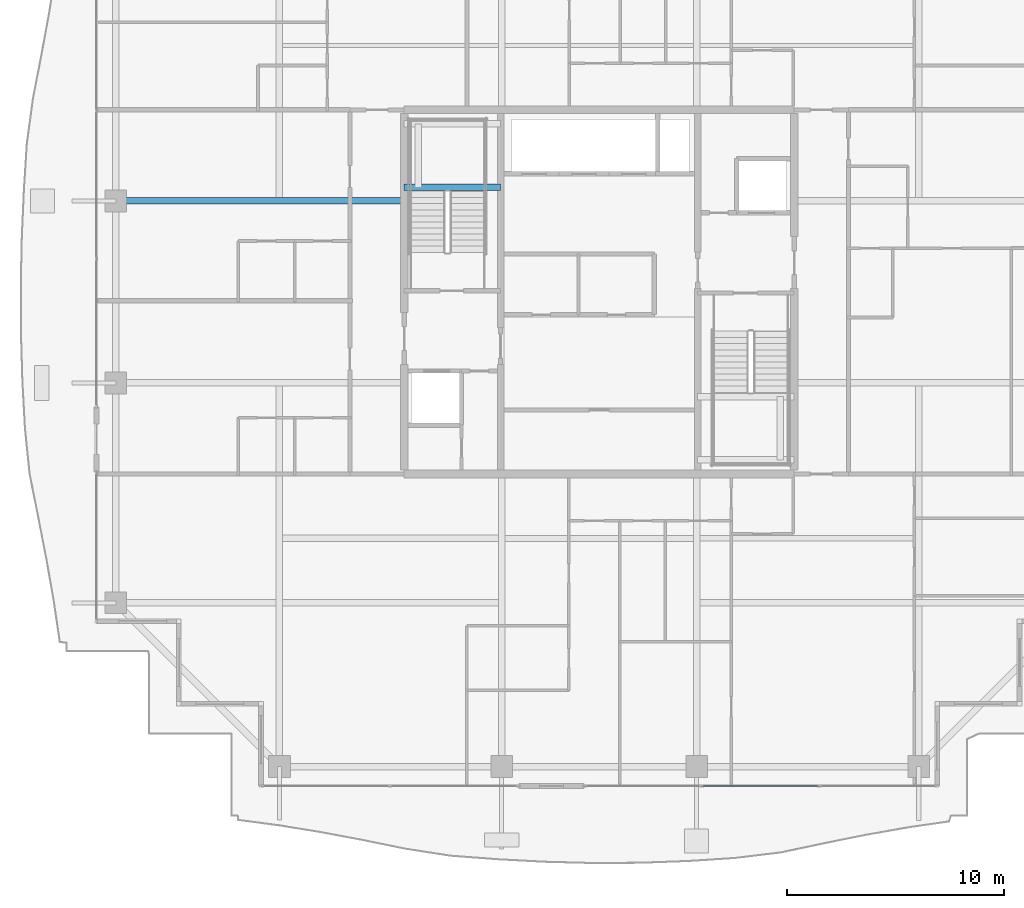
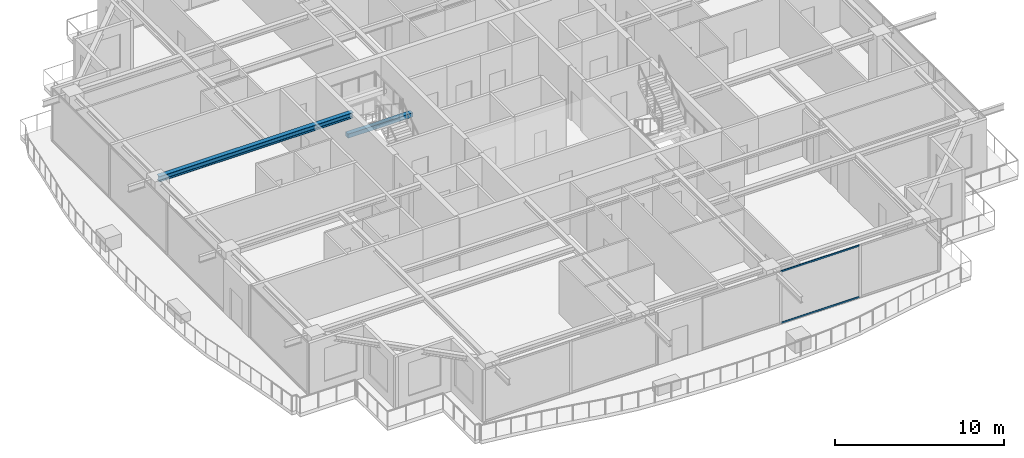
# One storey, part 9 of 37: 2 beams, 2 members, 1 element without a shape of its own.
"""IFC4 building model written with IfcOpenShell, lengths in metres."""

from ifc_helpers import new_model, si_unit, direction, frame, origin, origin_2d, place, context, subcontext, project, spatial, rectangle, hollow_rectangle, i_section, extrude, source, transform, mapped, material, layer, layer_set, material_profile, profile_set, type_object, element, aggregate, save


model = new_model("IFC4")

# Units and contexts
model_context = context("Model", 3, precision=1e-05, world=origin(), true_north=direction((0.0, 1.0)))
body_context = subcontext(model_context, "Body", "Model", "MODEL_VIEW")
ifc_project = project(units=[si_unit("LENGTHUNIT", "METRE"), si_unit("AREAUNIT", "SQUARE_METRE"), si_unit("VOLUMEUNIT", "CUBIC_METRE"), si_unit("PLANEANGLEUNIT", "RADIAN"), si_unit("MASSUNIT", "GRAM", prefix="KILO")], contexts=[model_context])

# Site, building, storey
site_placement = place(None, origin())
site = spatial("IfcSite", under=ifc_project, at=site_placement, CompositionType="ELEMENT")
building_placement = place(site_placement, origin())
building = spatial("IfcBuilding", under=site, at=building_placement, Name="Serunith Strait Residences", CompositionType="ELEMENT")
storey_placement = place(building_placement, frame((0.0, 0.0, 305.60009765625)))
storey = spatial("IfcBuildingStorey", under=building, at=storey_placement, Name="L76", CompositionType="ELEMENT", Elevation=305.60009765625)

# Beams
ifc_material_1 = material(Name="Steel S355J2", Category="steel")
ifc_material_profile_1 = material_profile(ifc_material_1, i_section(OverallWidth=0.300048828125, OverallDepth=0.39990234375, WebThickness=0.013427734375, FlangeThickness=0.02392578125, FilletRadius=0.027099609375, at=origin_2d()), Name="HEB 400")
ifc_profile_set_1 = profile_set([ifc_material_profile_1], Name="Steel S355J2")
beam_type_1 = type_object("IfcBeamType", Name="BM-HEB400", PredefinedType="BEAM", material=ifc_profile_set_1)
shared_shape_1 = source(origin(), body_context, "Body", "SweptSolid", [
    extrude(i_section(OverallWidth=0.300048828125, OverallDepth=0.39990234375, WebThickness=0.013427734375, FlangeThickness=0.02392578125, FilletRadius=0.027099609375, at=origin_2d()), origin(), (0.0, 0.0, 1.0), 13.2998046875),
])
beam_1_placement = place(storey_placement, frame((23.39990234375, 29.39990234375, 3.5869140625), z_axis=(-1.0, 0.0, 0.0), x_axis=(0.0, -1.0, 0.0)))
element("IfcBeam", 1, at=beam_1_placement, inside=storey, type_object=beam_type_1, Name="L76 Primary Floor Girder TC-W3", PredefinedType="BEAM", context=body_context, shape_type="MappedRepresentation", body=[
    mapped(shared_shape_1, transform((0.0, 0.0, 0.0), scale=1.0)),
])
ifc_material_2 = material(Name="Concrete C60/75", Category="concrete")
ifc_material_profile_2 = material_profile(ifc_material_2, rectangle(XDim=0.300048828125, YDim=0.300048828125, at=origin_2d()), Name="RC 300x300")
ifc_profile_set_2 = profile_set([ifc_material_profile_2], Name="Concrete C60/75")
beam_type_2 = type_object("IfcBeamType", Name="BM-LAND-300x300", PredefinedType="BEAM", material=ifc_profile_set_2)
shared_shape_2 = source(origin(), body_context, "Body", "SweptSolid", [
    extrude(rectangle(XDim=0.300048828125, YDim=0.300048828125, at=origin_2d()), origin(), (0.0, 0.0, 1.0), 4.4501953125),
])
beam_2_placement = place(storey_placement, frame((23.39990234375, 30.030029296875, 1.6748046875), z_axis=(1.0, 0.0, 0.0), x_axis=(0.0, 1.0, 0.0)))
element("IfcBeam", 2, at=beam_2_placement, inside=storey, type_object=beam_type_2, Name="L76 ST-1 Landing Support Beam 1", PredefinedType="BEAM", context=body_context, shape_type="MappedRepresentation", body=[
    mapped(shared_shape_2, transform((0.0, 0.0, 0.0), scale=1.0)),
])

# Curtain wall, members
ifc_material_3 = material(Name="Brushed Stainless-Silver Aluminium", Category="aluminium")
ifc_layer = layer(ifc_material_3, 0.199951171875, Name="Brushed Stainless-Silver Aluminium")
ifc_layer_set = layer_set([ifc_layer], Name="Brushed Stainless-Silver Aluminium")
curtain_wall_type = type_object("IfcCurtainWallType", Name="CW-SYS5", PredefinedType="NOTDEFINED", material=ifc_layer_set)
curtain_wall_placement = place(storey_placement, origin())
curtain_wall = element("IfcCurtainWall", 3, at=curtain_wall_placement, inside=storey, type_object=curtain_wall_type, Name="L76 S Unitised Fritted Curtain Wall", PredefinedType="NOTDEFINED")
ifc_material_profile_3 = material_profile(ifc_material_3, hollow_rectangle(XDim=0.06005859375, YDim=0.1201171875, WallThickness=0.00341796875, InnerFilletRadius=0.00537109375, OuterFilletRadius=0.0087890625, at=origin_2d()), Name="ALU 120x60x3.5")
ifc_profile_set_3 = profile_set([ifc_material_profile_3], Name="Brushed Stainless-Silver Aluminium")
member_type = type_object("IfcMemberType", Name="CW-SYS5-TRAN", PredefinedType="USERDEFINED", material=ifc_profile_set_3)
shared_shape_3 = source(origin(), body_context, "Body", "SweptSolid", [
    extrude(hollow_rectangle(XDim=0.06005859375, YDim=0.1201171875, WallThickness=0.00341796875, InnerFilletRadius=0.00537109375, OuterFilletRadius=0.0087890625, at=origin_2d()), origin(), (0.0, 0.0, 1.0), 5.368408203125),
])
member_1_placement = place(storey_placement, frame((37.165771484375, 2.39990234375, 0.02978515625), z_axis=(1.0, 0.0, 0.0), x_axis=(0.0, 1.0, 0.0)))
member_1 = element("IfcMember", 4, at=member_1_placement, type_object=member_type, Name="CW-5 transom 2.1", ObjectType="TRANSOM", PredefinedType="USERDEFINED", context=body_context, shape_type="MappedRepresentation", body=[
    mapped(shared_shape_3, transform((0.0, 0.0, 0.0), scale=1.0)),
])
member_2_placement = place(storey_placement, frame((37.165771484375, 2.39990234375, 3.744873046875), z_axis=(1.0, 0.0, 0.0), x_axis=(0.0, 1.0, 0.0)))
member_2 = element("IfcMember", 5, at=member_2_placement, type_object=member_type, Name="CW-5 transom 2.2", ObjectType="TRANSOM", PredefinedType="USERDEFINED", context=body_context, shape_type="MappedRepresentation", body=[
    mapped(shared_shape_3, transform((0.0, 0.0, 0.0), scale=1.0)),
])
aggregate(curtain_wall, [member_1, member_2])

save(model, "model.ifc")
